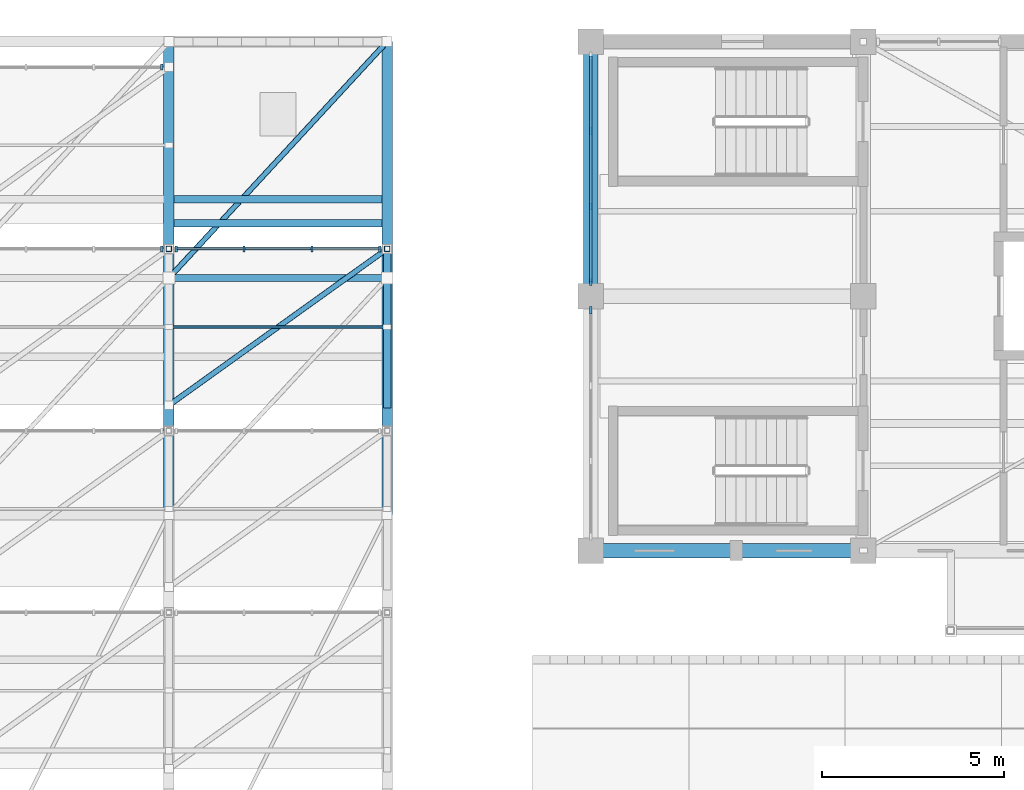
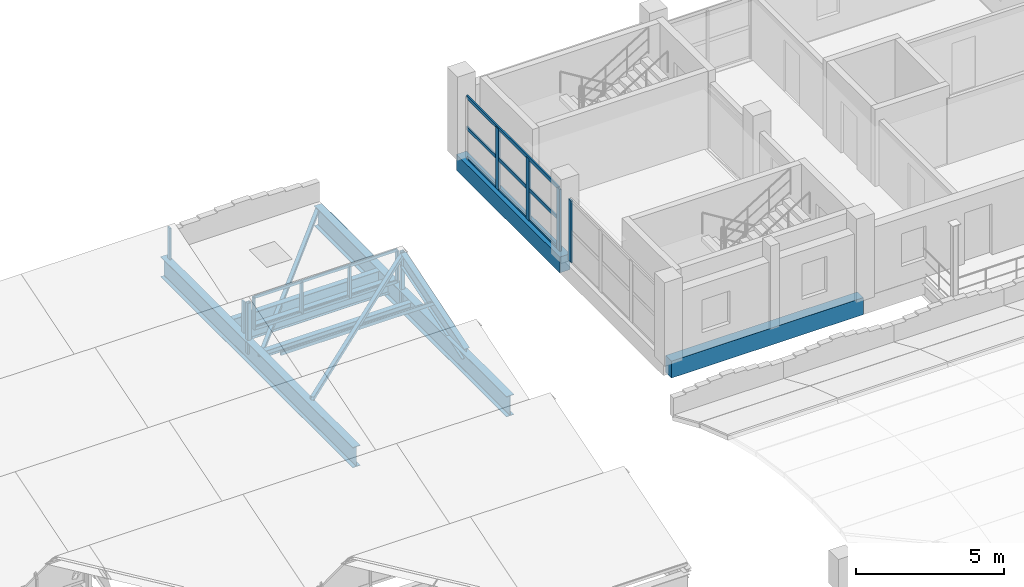
# One storey, part 20 of 48: 20 members, 8 beams, 5 elements without a shape of their own.
"""IFC4 building model written with IfcOpenShell, lengths in metres."""

from ifc_helpers import new_model, si_unit, direction, frame, origin, origin_2d, place, context, subcontext, project, spatial, rectangle, hollow_rectangle, i_section, extrude, material, layer, layer_set, material_profile, profile_set, type_object, element, aggregate, save


model = new_model("IFC4")

# Units and contexts
model_context = context("Model", 3, precision=1e-05, world=origin(), true_north=direction((0.0, 1.0)))
body_context = subcontext(model_context, "Body", "Model", "MODEL_VIEW")
ifc_project = project(units=[si_unit("LENGTHUNIT", "METRE"), si_unit("AREAUNIT", "SQUARE_METRE"), si_unit("VOLUMEUNIT", "CUBIC_METRE"), si_unit("PLANEANGLEUNIT", "RADIAN"), si_unit("MASSUNIT", "GRAM", prefix="KILO")], contexts=[model_context])

# Site, building, storey
site_placement = place(None, origin())
site = spatial("IfcSite", under=ifc_project, at=site_placement, CompositionType="ELEMENT")
building_placement = place(site_placement, origin())
building = spatial("IfcBuilding", under=site, at=building_placement, Name="Trellovar Central Fire Station", CompositionType="ELEMENT")
storey_placement = place(building_placement, frame((0.0, 0.0, 9.300048828125)))
storey = spatial("IfcBuildingStorey", under=building, at=storey_placement, Name="L03", CompositionType="ELEMENT", Elevation=9.300048828125)

# Beams
ifc_material_1 = material(Name="Concrete C40/50", Category="concrete")
ifc_material_profile_1 = material_profile(ifc_material_1, rectangle(XDim=0.39990234375, YDim=0.699951171875, at=origin_2d()), Name="RC400X700")
ifc_profile_set_1 = profile_set([ifc_material_profile_1], Name="Concrete C40/50")
beam_type_1 = type_object("IfcBeamType", Name="BM-G3", PredefinedType="BEAM", material=ifc_profile_set_1)
beam_1_placement = place(storey_placement, frame((141.10009765625, 59.0, -0.35009765625), z_axis=(1.0, 0.0, 0.0), x_axis=(0.0, 1.0, 0.0)))
element("IfcBeam", 1, at=beam_1_placement, inside=storey, type_object=beam_type_1, Name="L03 beam G-3", PredefinedType="BEAM", context=body_context, shape_type="SweptSolid", body=[
    extrude(rectangle(XDim=0.39990234375, YDim=0.699951171875, at=origin_2d()), origin(), (0.0, 0.0, 1.0), 7.5),
])
ifc_material_2 = material(Name="Concrete C40/50", Category="concrete")
ifc_material_profile_2 = material_profile(ifc_material_2, rectangle(XDim=0.39990234375, YDim=0.64990234375, at=origin_2d()), Name="RC400X650")
ifc_profile_set_2 = profile_set([ifc_material_profile_2], Name="Concrete C40/50")
beam_type_2 = type_object("IfcBeamType", Name="BM-G4", PredefinedType="BEAM", material=ifc_profile_set_2)
beam_2_placement = place(storey_placement, frame((141.10009765625, 66.0, -0.324951171875), z_axis=(0.0, 1.0, 0.0), x_axis=(-1.0, 0.0, 0.0)))
element("IfcBeam", 2, at=beam_2_placement, inside=storey, type_object=beam_type_2, Name="L03 beam G-4", PredefinedType="BEAM", context=body_context, shape_type="SweptSolid", body=[
    extrude(rectangle(XDim=0.39990234375, YDim=0.64990234375, at=origin_2d()), origin(), (0.0, 0.0, 1.0), 7.0),
])
ifc_material_3 = material(Name="Steel ASTM A992 Grade 50", Category="steel")
ifc_material_profile_3 = material_profile(ifc_material_3, i_section(OverallWidth=0.202880859375, OverallDepth=0.251953125, WebThickness=0.008056640625, FlangeThickness=0.013427734375, FilletRadius=0.0126953125, at=origin_2d()), Name="W10X39")
ifc_profile_set_3 = profile_set([ifc_material_profile_3], Name="Steel ASTM A992 Grade 50")
beam_type_3 = type_object("IfcBeamType", Name="BM-SW13", PredefinedType="SPANDREL", material=ifc_profile_set_3)
beam_3_placement = place(storey_placement, frame((129.64599609375, 66.5, -0.30615234375), z_axis=(1.0, 0.0, 0.0), x_axis=(0.0, 1.0, 0.0)))
element("IfcBeam", 3, at=beam_3_placement, inside=storey, type_object=beam_type_3, Name="V6 roof spine spandrel", PredefinedType="SPANDREL", context=body_context, shape_type="SweptSolid", body=[
    extrude(i_section(OverallWidth=0.202880859375, OverallDepth=0.251953125, WebThickness=0.008056640625, FlangeThickness=0.013427734375, FilletRadius=0.0126953125, at=origin_2d()), origin(), (0.0, 0.0, 1.0), 5.7080078125),
])
ifc_material_4 = material(Name="Steel ASTM A992 Grade 50", Category="steel")
ifc_material_profile_4 = material_profile(ifc_material_4, i_section(OverallWidth=0.2919921875, OverallDepth=0.8408203125, WebThickness=0.0146484375, FlangeThickness=0.021728515625, FilletRadius=0.020263671875, at=origin_2d()), Name="W33X130")
ifc_profile_set_4 = profile_set([ifc_material_profile_4], Name="Steel ASTM A992 Grade 50")
beam_type_4 = type_object("IfcBeamType", Name="BM-SW2", PredefinedType="BEAM", material=ifc_profile_set_4)
for number, where, z_axis, x_axis, name in (
    (4, (129.5, 60.0, -0.600341796875), (0.0, 1.0, 0.0), (-1.0, 0.0, 0.0), "L03 beam SB-2"),
    (5, (135.5, 60.0, -0.600341796875), (0.0, 1.0, 0.0), (-1.0, 0.0, 0.0), "L03 beam SB-2"),
):
    element("IfcBeam", number, at=place(storey_placement, frame(where, z_axis=z_axis, x_axis=x_axis)), inside=storey, type_object=beam_type_4, Name=name, PredefinedType="BEAM", context=body_context, shape_type="SweptSolid", body=[
        extrude(i_section(OverallWidth=0.2919921875, OverallDepth=0.8408203125, WebThickness=0.0146484375, FlangeThickness=0.021728515625, FilletRadius=0.020263671875, at=origin_2d()), origin(), (0.0, 0.0, 1.0), 13.0),
    ])
ifc_material_5 = material(Name="Steel ASTM A992 Grade 50", Category="steel")
ifc_material_profile_5 = material_profile(ifc_material_5, i_section(OverallWidth=0.209228515625, OverallDepth=0.533447265625, WebThickness=0.01025390625, FlangeThickness=0.015625, FilletRadius=0.013916015625, at=origin_2d()), Name="W21X62")
ifc_profile_set_5 = profile_set([ifc_material_profile_5], Name="Steel ASTM A992 Grade 50")
beam_type_5 = type_object("IfcBeamType", Name="BM-SW7", PredefinedType="BEAM", material=ifc_profile_set_5)
beam_4_placement = place(storey_placement, frame((129.64111328125, 68.666748046875, -0.44677734375), z_axis=(1.0, 0.0, 0.0), x_axis=(0.0, 1.0, 0.0)))
element("IfcBeam", 6, at=beam_4_placement, inside=storey, type_object=beam_type_5, Name="L03 beam SB-7", PredefinedType="BEAM", context=body_context, shape_type="SweptSolid", body=[
    extrude(i_section(OverallWidth=0.209228515625, OverallDepth=0.533447265625, WebThickness=0.01025390625, FlangeThickness=0.015625, FilletRadius=0.013916015625, at=origin_2d()), origin(), (0.0, 0.0, 1.0), 5.7177734375),
])
beam_5_placement = place(storey_placement, frame((135.5, 63.0, -0.266845703125), z_axis=(0.0, 0.954079117135, 0.299554733308), x_axis=(-1.0, 0.0, 0.0)))
element("IfcBeam", 7, at=beam_5_placement, inside=storey, type_object=beam_type_5, Name="Sawtooth steel rafter", PredefinedType="BEAM", context=body_context, shape_type="SweptSolid", body=[
    extrude(i_section(OverallWidth=0.209228515625, OverallDepth=0.533447265625, WebThickness=0.01025390625, FlangeThickness=0.015625, FilletRadius=0.013916015625, at=origin_2d()), origin(), (0.0, 0.0, 1.0), 4.507080078125),
])
beam_6_placement = place(storey_placement, frame((129.64599609375, 68.0, -0.44677734375), z_axis=(1.0, 0.0, 0.0), x_axis=(0.0, 1.0, 0.0)))
element("IfcBeam", 8, at=beam_6_placement, inside=storey, type_object=beam_type_5, Name="Mechanical roof hatch south beam", PredefinedType="BEAM", context=body_context, shape_type="SweptSolid", body=[
    extrude(i_section(OverallWidth=0.209228515625, OverallDepth=0.533447265625, WebThickness=0.01025390625, FlangeThickness=0.015625, FilletRadius=0.013916015625, at=origin_2d()), origin(), (0.0, 0.0, 1.0), 5.7080078125),
])

# Curtain wall, member
ifc_material_6 = material(Name="Thermally broken bronze anodized aluminum", Category="aluminium")
ifc_layer_1 = layer(ifc_material_6, 0.159912109375)
ifc_layer_set_1 = layer_set([ifc_layer_1], Name="Thermally broken bronze anodized aluminum")
curtain_wall_type_1 = type_object("IfcCurtainWallType", Name="CW-07", PredefinedType="NOTDEFINED", material=ifc_layer_set_1)
curtain_wall_1_placement = place(storey_placement, origin())
curtain_wall_1 = element("IfcCurtainWall", 9, at=curtain_wall_1_placement, inside=storey, type_object=curtain_wall_type_1, Name="V2 L03 west drill yard curtain wall", PredefinedType="NOTDEFINED")
ifc_material_7 = material(Name="Thermally broken bronze anodized aluminum", Category="aluminium")
ifc_material_profile_6 = material_profile(ifc_material_7, rectangle(XDim=0.074951171875, YDim=0.199951171875, at=origin_2d()), Name="ALU75X200")
ifc_profile_set_6 = profile_set([ifc_material_profile_6], Name="Thermally broken bronze anodized aluminum")
member_type_1 = type_object("IfcMemberType", Name="CWM-1", PredefinedType="MULLION", material=ifc_profile_set_6)
member_1_placement = place(storey_placement, frame((141.10009765625, 65.610107421875, 0.0), z_axis=(0.0, 0.0, 1.0), x_axis=(1.0, 0.0, 0.0)))
member_1 = element("IfcMember", 10, at=member_1_placement, type_object=member_type_1, Name="CW3-L03-0160 mullion 4", PredefinedType="MULLION", context=body_context, shape_type="SweptSolid", body=[
    extrude(rectangle(XDim=0.074951171875, YDim=0.199951171875, at=origin_2d()), origin(), (0.0, 0.0, 1.0), 2.550048828125),
])
aggregate(curtain_wall_1, [member_1])

# Curtain wall, members
curtain_wall_2_placement = place(storey_placement, origin())
curtain_wall_2 = element("IfcCurtainWall", 11, at=curtain_wall_2_placement, inside=storey, type_object=curtain_wall_type_1, Name="V2 L03 west drill yard curtain wall", PredefinedType="NOTDEFINED")
member_2_placement = place(storey_placement, frame((141.10009765625, 66.389892578125, 0.0), z_axis=(0.0, 0.0, 1.0), x_axis=(1.0, 0.0, 0.0)))
member_2 = element("IfcMember", 12, at=member_2_placement, type_object=member_type_1, Name="CW3-L03-0161 mullion 1", PredefinedType="MULLION", context=body_context, shape_type="SweptSolid", body=[
    extrude(rectangle(XDim=0.074951171875, YDim=0.199951171875, at=origin_2d()), origin(), (0.0, 0.0, 1.0), 2.550048828125),
])
member_3_placement = place(storey_placement, frame((141.10009765625, 68.46337890625, 0.0), z_axis=(0.0, 0.0, 1.0), x_axis=(1.0, 0.0, 0.0)))
member_3 = element("IfcMember", 13, at=member_3_placement, type_object=member_type_1, Name="CW3-L03-0161 mullion 2", PredefinedType="MULLION", context=body_context, shape_type="SweptSolid", body=[
    extrude(rectangle(XDim=0.074951171875, YDim=0.199951171875, at=origin_2d()), origin(), (0.0, 0.0, 1.0), 2.550048828125),
])
member_4_placement = place(storey_placement, frame((141.10009765625, 70.53662109375, 0.0), z_axis=(0.0, 0.0, 1.0), x_axis=(1.0, 0.0, 0.0)))
member_4 = element("IfcMember", 14, at=member_4_placement, type_object=member_type_1, Name="CW3-L03-0161 mullion 3", PredefinedType="MULLION", context=body_context, shape_type="SweptSolid", body=[
    extrude(rectangle(XDim=0.074951171875, YDim=0.199951171875, at=origin_2d()), origin(), (0.0, 0.0, 1.0), 2.550048828125),
])

# Curtain wall, member
ifc_material_8 = material(Name="Thermally broken bronze anodized aluminum", Category="aluminium")
ifc_layer_2 = layer(ifc_material_8, 0.159912109375)
ifc_layer_set_2 = layer_set([ifc_layer_2], Name="Thermally broken bronze anodized aluminum")
curtain_wall_type_2 = type_object("IfcCurtainWallType", Name="CW-06", PredefinedType="NOTDEFINED", material=ifc_layer_set_2)
curtain_wall_3_placement = place(storey_placement, origin())
curtain_wall_3 = element("IfcCurtainWall", 15, at=curtain_wall_3_placement, inside=storey, type_object=curtain_wall_type_2, Name="V6 sawtooth north-light monitor 4-4", PredefinedType="NOTDEFINED")
ifc_material_9 = material(Name="Thermally broken bronze anodized aluminum", Category="aluminium")
ifc_material_profile_7 = material_profile(ifc_material_9, rectangle(XDim=0.06005859375, YDim=0.159912109375, at=origin_2d()), Name="ALU60X160")
ifc_profile_set_7 = profile_set([ifc_material_profile_7], Name="Thermally broken bronze anodized aluminum")
member_type_2 = type_object("IfcMemberType", Name="CWM-3", PredefinedType="MULLION", material=ifc_profile_set_7)
member_5_placement = place(storey_placement, frame((129.300048828125, 67.300048828125, 0.179931640625), z_axis=(0.0, 0.0, 1.0), x_axis=(1.0, 0.0, 0.0)))
member_5 = element("IfcMember", 16, at=member_5_placement, type_object=member_type_2, Name="CW3-L03-0134 mullion 1", PredefinedType="MULLION", context=body_context, shape_type="SweptSolid", body=[
    extrude(rectangle(XDim=0.06005859375, YDim=0.159912109375, at=origin_2d()), origin(), (0.0, 0.0, 1.0), 1.300048828125),
])
aggregate(curtain_wall_3, [member_5])

curtain_wall_4_placement = place(storey_placement, origin())
curtain_wall_4 = element("IfcCurtainWall", 17, at=curtain_wall_4_placement, inside=storey, type_object=curtain_wall_type_2, Name="V6 sawtooth north-light monitor 5-4", PredefinedType="NOTDEFINED")
member_6_placement = place(storey_placement, frame((129.300048828125, 72.300048828125, 0.179931640625), z_axis=(0.0, 0.0, 1.0), x_axis=(1.0, 0.0, 0.0)))
member_6 = element("IfcMember", 18, at=member_6_placement, type_object=member_type_2, Name="CW3-L03-0135 mullion 1", PredefinedType="MULLION", context=body_context, shape_type="SweptSolid", body=[
    extrude(rectangle(XDim=0.06005859375, YDim=0.159912109375, at=origin_2d()), origin(), (0.0, 0.0, 1.0), 1.300048828125),
])
aggregate(curtain_wall_4, [member_6])

# Curtain wall, members
curtain_wall_5_placement = place(storey_placement, origin())
curtain_wall_5 = element("IfcCurtainWall", 19, at=curtain_wall_5_placement, inside=storey, type_object=curtain_wall_type_2, Name="V6 sawtooth north-light monitor 4-5", PredefinedType="NOTDEFINED")
member_7_placement = place(storey_placement, frame((135.300048828125, 67.300048828125, 0.179931640625), z_axis=(0.0, 0.0, 1.0), x_axis=(1.0, 0.0, 0.0)))
member_7 = element("IfcMember", 20, at=member_7_placement, type_object=member_type_2, Name="CW3-L03-0142 mullion 1", PredefinedType="MULLION", context=body_context, shape_type="SweptSolid", body=[
    extrude(rectangle(XDim=0.06005859375, YDim=0.159912109375, at=origin_2d()), origin(), (0.0, 0.0, 1.0), 1.300048828125),
])
member_8_placement = place(storey_placement, frame((133.433349609375, 67.300048828125, 0.179931640625), z_axis=(0.0, 0.0, 1.0), x_axis=(1.0, 0.0, 0.0)))
member_8 = element("IfcMember", 21, at=member_8_placement, type_object=member_type_2, Name="CW3-L03-0142 mullion 2", PredefinedType="MULLION", context=body_context, shape_type="SweptSolid", body=[
    extrude(rectangle(XDim=0.06005859375, YDim=0.159912109375, at=origin_2d()), origin(), (0.0, 0.0, 1.0), 1.300048828125),
])
member_9_placement = place(storey_placement, frame((131.566650390625, 67.300048828125, 0.179931640625), z_axis=(0.0, 0.0, 1.0), x_axis=(1.0, 0.0, 0.0)))
member_9 = element("IfcMember", 22, at=member_9_placement, type_object=member_type_2, Name="CW3-L03-0142 mullion 3", PredefinedType="MULLION", context=body_context, shape_type="SweptSolid", body=[
    extrude(rectangle(XDim=0.06005859375, YDim=0.159912109375, at=origin_2d()), origin(), (0.0, 0.0, 1.0), 1.300048828125),
])
member_10_placement = place(storey_placement, frame((129.699951171875, 67.300048828125, 0.179931640625), z_axis=(0.0, 0.0, 1.0), x_axis=(1.0, 0.0, 0.0)))
member_10 = element("IfcMember", 23, at=member_10_placement, type_object=member_type_2, Name="CW3-L03-0142 mullion 4", PredefinedType="MULLION", context=body_context, shape_type="SweptSolid", body=[
    extrude(rectangle(XDim=0.06005859375, YDim=0.159912109375, at=origin_2d()), origin(), (0.0, 0.0, 1.0), 1.300048828125),
])

# Member
ifc_material_10 = material(Name="Thermally broken bronze anodized aluminum", Category="aluminium")
ifc_material_profile_8 = material_profile(ifc_material_10, rectangle(XDim=0.06005859375, YDim=0.139892578125, at=origin_2d()), Name="ALU60X140")
ifc_profile_set_8 = profile_set([ifc_material_profile_8], Name="Thermally broken bronze anodized aluminum")
member_type_3 = type_object("IfcMemberType", Name="CWT-1", PredefinedType="USERDEFINED", material=ifc_profile_set_8)
member_11_placement = place(storey_placement, frame((141.10009765625, 66.389892578125, 0.0), z_axis=(0.0, 1.0, 0.0), x_axis=(-1.0, 0.0, 0.0)))
member_11 = element("IfcMember", 24, at=member_11_placement, type_object=member_type_3, Name="CW3-L03-0161 transom 1", ObjectType="TRANSOM", PredefinedType="USERDEFINED", context=body_context, shape_type="SweptSolid", body=[
    extrude(rectangle(XDim=0.06005859375, YDim=0.139892578125, at=origin_2d()), origin(), (0.0, 0.0, 1.0), 6.22021484375),
])

member_12_placement = place(storey_placement, frame((141.10009765625, 66.389892578125, 1.27490234375), z_axis=(0.0, 1.0, 0.0), x_axis=(-1.0, 0.0, 0.0)))
member_12 = element("IfcMember", 25, at=member_12_placement, type_object=member_type_3, Name="CW3-L03-0161 transom 2", ObjectType="TRANSOM", PredefinedType="USERDEFINED", context=body_context, shape_type="SweptSolid", body=[
    extrude(rectangle(XDim=0.06005859375, YDim=0.139892578125, at=origin_2d()), origin(), (0.0, 0.0, 1.0), 6.22021484375),
])

member_13_placement = place(storey_placement, frame((141.10009765625, 66.389892578125, 2.550048828125), z_axis=(0.0, 1.0, 0.0), x_axis=(-1.0, 0.0, 0.0)))
member_13 = element("IfcMember", 26, at=member_13_placement, type_object=member_type_3, Name="CW3-L03-0161 transom 3", ObjectType="TRANSOM", PredefinedType="USERDEFINED", context=body_context, shape_type="SweptSolid", body=[
    extrude(rectangle(XDim=0.06005859375, YDim=0.139892578125, at=origin_2d()), origin(), (0.0, 0.0, 1.0), 6.22021484375),
])

aggregate(curtain_wall_2, [member_2, member_3, member_4, member_11, member_12, member_13])

ifc_material_11 = material(Name="Thermally broken bronze anodized aluminum", Category="aluminium")
ifc_material_profile_9 = material_profile(ifc_material_11, rectangle(XDim=0.054931640625, YDim=0.110107421875, at=origin_2d()), Name="ALU55X110")
ifc_profile_set_9 = profile_set([ifc_material_profile_9], Name="Thermally broken bronze anodized aluminum")
member_type_4 = type_object("IfcMemberType", Name="CWT-3", PredefinedType="USERDEFINED", material=ifc_profile_set_9)
member_14_placement = place(storey_placement, frame((135.300048828125, 67.300048828125, 0.179931640625), z_axis=(-1.0, 0.0, 0.0), x_axis=(0.0, -1.0, 0.0)))
member_14 = element("IfcMember", 27, at=member_14_placement, type_object=member_type_4, Name="CW3-L03-0142 transom 1", ObjectType="TRANSOM", PredefinedType="USERDEFINED", context=body_context, shape_type="SweptSolid", body=[
    extrude(rectangle(XDim=0.054931640625, YDim=0.110107421875, at=origin_2d()), origin(), (0.0, 0.0, 1.0), 5.60009765625),
])

member_15_placement = place(storey_placement, frame((135.300048828125, 67.300048828125, 1.47998046875), z_axis=(-1.0, 0.0, 0.0), x_axis=(0.0, -1.0, 0.0)))
member_15 = element("IfcMember", 28, at=member_15_placement, type_object=member_type_4, Name="CW3-L03-0142 transom 2", ObjectType="TRANSOM", PredefinedType="USERDEFINED", context=body_context, shape_type="SweptSolid", body=[
    extrude(rectangle(XDim=0.054931640625, YDim=0.110107421875, at=origin_2d()), origin(), (0.0, 0.0, 1.0), 5.60009765625),
])

aggregate(curtain_wall_5, [member_7, member_8, member_9, member_10, member_14, member_15])

# Members
ifc_material_12 = material(Name="Steel ASTM A500 Grade C", Category="steel")
ifc_material_profile_10 = material_profile(ifc_material_12, hollow_rectangle(XDim=0.15234375, YDim=0.15234375, WallThickness=0.005859375, InnerFilletRadius=0.005859375, OuterFilletRadius=0.01171875, at=origin_2d()), Name="HSS6X6X1/4")
ifc_profile_set_10 = profile_set([ifc_material_profile_10], Name="Steel ASTM A500 Grade C")
member_type_5 = type_object("IfcMemberType", Name="MEM-BR1", PredefinedType="BRACE", material=ifc_profile_set_10)
member_16_placement = place(storey_placement, frame((129.5, 63.0, -0.02001953125), z_axis=(0.801405151762, 0.574346880614, 0.166959406617), x_axis=(-0.582523311563, 0.812813995626, 0.0)))
element("IfcMember", 29, at=member_16_placement, inside=storey, type_object=member_type_5, Name="Sawtooth roof plane diagonal brace", PredefinedType="BRACE", context=body_context, shape_type="SweptSolid", body=[
    extrude(hollow_rectangle(XDim=0.15234375, YDim=0.15234375, WallThickness=0.005859375, InnerFilletRadius=0.005859375, OuterFilletRadius=0.01171875, at=origin_2d()), origin(), (0.0, 0.0, 1.0), 7.48681640625),
])
ifc_material_13 = material(Name="Steel ASTM A500 Grade C", Category="steel")
ifc_material_profile_11 = material_profile(ifc_material_13, hollow_rectangle(XDim=0.15234375, YDim=0.15234375, WallThickness=0.0087890625, InnerFilletRadius=0.0087890625, OuterFilletRadius=0.017822265625, at=origin_2d()), Name="HSS6X6X3/8")
ifc_profile_set_11 = profile_set([ifc_material_profile_11], Name="Steel ASTM A500 Grade C")
member_type_6 = type_object("IfcMemberType", Name="MEM-CH2", PredefinedType="CHORD", material=ifc_profile_set_11)
member_17_placement = place(storey_placement, frame((129.5, 66.5, -0.35009765625), z_axis=(0.678280102733, 0.734803444627, 0.0), x_axis=(-0.734803444627, 0.678280102733, 0.0)))
element("IfcMember", 30, at=member_17_placement, inside=storey, type_object=member_type_6, Name="V6 roof diaphragm chord", PredefinedType="CHORD", context=body_context, shape_type="SweptSolid", body=[
    extrude(hollow_rectangle(XDim=0.15234375, YDim=0.15234375, WallThickness=0.0087890625, InnerFilletRadius=0.0087890625, OuterFilletRadius=0.017822265625, at=origin_2d()), origin(), (0.0, 0.0, 1.0), 8.845947265625),
])
ifc_material_14 = material(Name="Steel ASTM A500 Grade C", Category="steel")
ifc_material_profile_12 = material_profile(ifc_material_14, hollow_rectangle(XDim=0.076171875, YDim=0.15234375, WallThickness=0.005859375, InnerFilletRadius=0.005859375, OuterFilletRadius=0.01171875, at=origin_2d()), Name="HSS6X3X1/4")
ifc_profile_set_12 = profile_set([ifc_material_profile_12], Name="Steel ASTM A500 Grade C")
member_type_7 = type_object("IfcMemberType", Name="MEM-PU2", PredefinedType="PURLIN", material=ifc_profile_set_12)
member_18_placement = place(storey_placement, frame((129.5, 65.14990234375, 0.530029296875), z_axis=(1.0, 0.0, 0.0), x_axis=(0.0, 1.0, 0.0)))
element("IfcMember", 31, at=member_18_placement, inside=storey, type_object=member_type_7, Name="Sawtooth steel purlin", PredefinedType="PURLIN", context=body_context, shape_type="SweptSolid", body=[
    extrude(hollow_rectangle(XDim=0.076171875, YDim=0.15234375, WallThickness=0.005859375, InnerFilletRadius=0.005859375, OuterFilletRadius=0.01171875, at=origin_2d()), origin(), (0.0, 0.0, 1.0), 6.0),
])
ifc_material_15 = material(Name="Steel ASTM A500 Grade C", Category="steel")
ifc_material_profile_13 = material_profile(ifc_material_15, hollow_rectangle(XDim=0.15234375, YDim=0.15234375, WallThickness=0.0087890625, InnerFilletRadius=0.0087890625, OuterFilletRadius=0.017822265625, at=origin_2d()), Name="HSS6X6X3/8")
ifc_profile_set_13 = profile_set([ifc_material_profile_13], Name="Steel ASTM A500 Grade C")
member_type_8 = type_object("IfcMemberType", Name="MEM-ST1", PredefinedType="STRUT", material=ifc_profile_set_13)
for number, where, z_axis, x_axis, name in (
    (32, (129.5, 67.300048828125, -0.75), (0.0, 0.0, 1.0), (1.0, 0.0, 0.0), "Sawtooth monitor vertical post"),
    (33, (135.5, 67.300048828125, -0.75), (0.0, 0.0, 1.0), (1.0, 0.0, 0.0), "Sawtooth monitor vertical post"),
):
    element("IfcMember", number, at=place(storey_placement, frame(where, z_axis=z_axis, x_axis=x_axis)), inside=storey, type_object=member_type_8, Name=name, PredefinedType="STRUT", context=body_context, shape_type="SweptSolid", body=[
        extrude(hollow_rectangle(XDim=0.15234375, YDim=0.15234375, WallThickness=0.0087890625, InnerFilletRadius=0.0087890625, OuterFilletRadius=0.017822265625, at=origin_2d()), origin(), (0.0, 0.0, 1.0), 2.099853515625),
    ])

save(model, "model.ifc")
